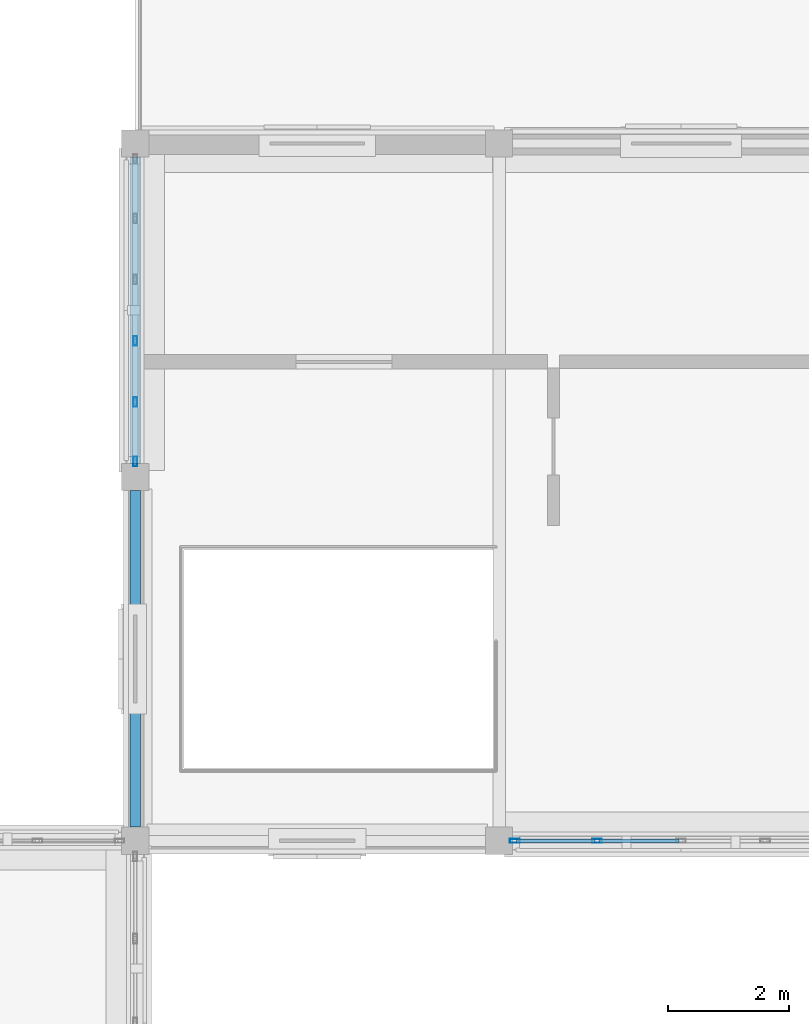
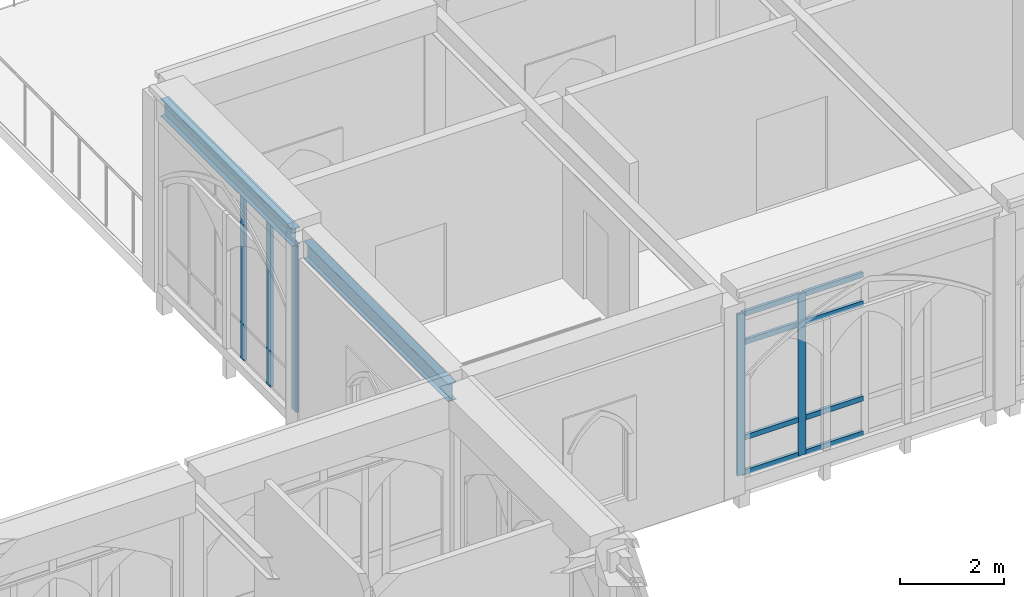
# One storey, part 10 of 59: 13 members, 2 beams, 2 elements without a shape of their own.
"""IFC4 building model written with IfcOpenShell, lengths in metres."""

import ifcopenshell
import ifcopenshell.guid

model = None  # the IFC model being written
_history = None  # IfcOwnerHistory: only IFC2X3 demands one
_inside = {}  # id of a spatial element -> (the spatial element, [elements in it])
_under = {}  # id of a project, library or spatial element -> (it, [spatial elements below it])
_declared = {}  # id of a project -> (the project, [libraries it declares])
_typed = {}  # id of a type object -> (the type object, [elements of that type])
_made_of = {}  # id of a material, layer set ... -> (it, [elements and type objects made of it])


def new_model(schema):
    """Start an empty IFC model of exactly this schema.

    Asked for "IFC4X3", IfcOpenShell would pick the latest addendum, in which some entities
    have other attributes; the version numbers below select the first issue.
    IFC2X3 requires an IfcOwnerHistory on every rooted entity: one is made here for all.
    """
    global model, _history
    if schema == "IFC4X3":
        model = ifcopenshell.file(schema_version=(4, 3, 0, 0))
    else:
        model = ifcopenshell.file(schema=schema)
    _inside.clear()
    _under.clear()
    _declared.clear()
    _typed.clear()
    _made_of.clear()
    _history = None
    if model.schema == "IFC2X3":
        org = make("IfcOrganization", Name="unknown")
        user = make(
            "IfcPersonAndOrganization",
            ThePerson=make("IfcPerson", FamilyName="unknown"),
            TheOrganization=org,
        )
        app = make(
            "IfcApplication",
            ApplicationDeveloper=org,
            Version="unknown",
            ApplicationFullName="unknown",
            ApplicationIdentifier="unknown",
        )
        _history = make(
            "IfcOwnerHistory",
            OwningUser=user,
            OwningApplication=app,
            ChangeAction="ADDED",
            CreationDate=0,
        )
    return model


def make(cls, **values):
    """One entity of the class cls with the attributes given. An attribute that is None is left unset."""
    return model.create_entity(
        cls, **{name: value for name, value in values.items() if value is not None}
    )


def rooted(cls, **values):
    """An entity with a GlobalId (a new one), such as an element, a storey or a relation."""
    return make(cls, GlobalId=ifcopenshell.guid.new(), OwnerHistory=_history, **values)


def si_unit(unit_type, name, prefix=None):
    """IfcSIUnit, for example si_unit("LENGTHUNIT", "METRE", prefix="MILLI")."""
    return make("IfcSIUnit", UnitType=unit_type, Prefix=prefix, Name=name)


def assignment(units):
    """IfcUnitAssignment: the units of a project."""
    return None if units is None else make("IfcUnitAssignment", Units=units)


def point(xyz):
    """IfcCartesianPoint."""
    return None if xyz is None else make("IfcCartesianPoint", Coordinates=xyz)


def direction(xyz):
    """IfcDirection."""
    return None if xyz is None else make("IfcDirection", DirectionRatios=xyz)


def frame(location, z_axis=None, x_axis=None):
    """IfcAxis2Placement3D, a coordinate frame: its origin and axes. An axis left out is left unset."""
    return make(
        "IfcAxis2Placement3D",
        Location=point(location),
        Axis=direction(z_axis),
        RefDirection=direction(x_axis),
    )


def frame_2d(location, x_axis=None):
    """IfcAxis2Placement2D, a coordinate frame in the plane: its origin and x axis."""
    return make(
        "IfcAxis2Placement2D", Location=point(location), RefDirection=direction(x_axis)
    )


def origin():
    """The frame at (0, 0, 0) with its axes left unset."""
    return frame((0.0, 0.0, 0.0))


def origin_2d():
    """The frame at (0, 0) in the plane with its x axis left unset."""
    return frame_2d((0.0, 0.0))


def place(relative_to, where):
    """IfcLocalPlacement: puts the frame where relative to a parent placement (None: the world)."""
    return make(
        "IfcLocalPlacement", PlacementRelTo=relative_to, RelativePlacement=where
    )


def context(
    kind, dimensions, precision=None, world=None, true_north=None, identifier=None
):
    """IfcGeometricRepresentationContext, for example the 3D "Model" context."""
    return make(
        "IfcGeometricRepresentationContext",
        ContextIdentifier=identifier,
        ContextType=kind,
        CoordinateSpaceDimension=dimensions,
        Precision=precision,
        WorldCoordinateSystem=world,
        TrueNorth=true_north,
    )


def subcontext(parent, identifier, kind, view, scale=None):
    """IfcGeometricRepresentationSubContext, for example "Body" below "Model"."""
    return make(
        "IfcGeometricRepresentationSubContext",
        ContextIdentifier=identifier,
        ContextType=kind,
        ParentContext=parent,
        TargetScale=scale,
        TargetView=view,
    )


def project(units=None, contexts=None):
    """IfcProject with its units and contexts."""
    return rooted(
        "IfcProject",
        Name="project",
        RepresentationContexts=contexts,
        UnitsInContext=assignment(units),
    )


def spatial(cls, under=None, at=None, **own):
    """A site, building, storey or space (cls), placed at a placement, below another one or the project."""
    s = rooted(cls, ObjectPlacement=at, **own)
    if under is not None:
        _under.setdefault(under.id(), (under, []))[1].append(s)
    return s


def profile(cls, at=None, kind="AREA", **sizes):
    """A parametric profile (cls). Its sizes go by their IFC names, for example OverallWidth=200.0."""
    return make(cls, ProfileType=kind, Position=at, **sizes)


def hollow_rectangle(**sizes):
    """IfcRectangleHollowProfileDef."""
    return profile("IfcRectangleHollowProfileDef", **sizes)


def i_section(**sizes):
    """IfcIShapeProfileDef."""
    return profile("IfcIShapeProfileDef", **sizes)


def extrude(swept, where, along, depth):
    """IfcExtrudedAreaSolid: the profile swept, set in the frame where, extruded along a direction by depth."""
    return make(
        "IfcExtrudedAreaSolid",
        SweptArea=swept,
        Position=where,
        ExtrudedDirection=direction(along),
        Depth=depth,
    )


def shape(context_of_items, identifier, shape_type, items):
    """IfcShapeRepresentation: the items that make up one representation, for example the "Body"."""
    return make(
        "IfcShapeRepresentation",
        ContextOfItems=context_of_items,
        RepresentationIdentifier=identifier,
        RepresentationType=shape_type,
        Items=items,
    )


def material(Name=None, Category=None):
    """IfcMaterial."""
    return make("IfcMaterial", Name=Name, Category=Category)


def layer(
    of_material, thickness, ventilated=None, Name=None, Category=None, Priority=None
):
    """IfcMaterialLayer: one layer of a wall or slab, of a material (None: an air gap)."""
    return make(
        "IfcMaterialLayer",
        Material=of_material,
        LayerThickness=thickness,
        IsVentilated=ventilated,
        Name=Name,
        Category=Category,
        Priority=Priority,
    )


def layer_set(layers, Name=None):
    """IfcMaterialLayerSet."""
    return make("IfcMaterialLayerSet", MaterialLayers=layers, LayerSetName=Name)


def material_profile(
    of_material, cross_section, Name=None, Category=None, Priority=None
):
    """IfcMaterialProfile: a cross section and its material."""
    return make(
        "IfcMaterialProfile",
        Name=Name,
        Material=of_material,
        Profile=cross_section,
        Priority=Priority,
        Category=Category,
    )


def profile_set(profiles, Name=None, composite=None):
    """IfcMaterialProfileSet."""
    return make(
        "IfcMaterialProfileSet",
        Name=Name,
        MaterialProfiles=profiles,
        CompositeProfile=composite,
    )


def made_of(thing, what):
    """Note that an element or type object is made of a material, layer set ...; save() writes the relation."""
    if what is not None:
        _made_of.setdefault(what.id(), (what, []))[1].append(thing)
    return thing


def type_object(cls, material=None, **own):
    """A type object (cls), such as IfcWallType, which elements share."""
    return made_of(rooted(cls, **own), material)


def element(
    cls,
    number,
    at=None,
    inside=None,
    cuts=None,
    type_object=None,
    material=None,
    context=None,
    identifier="Body",
    shape_type=None,
    held_by="IfcProductDefinitionShape",
    body=None,
    shapes=None,
    **own,
):
    """One element of the class cls, such as IfcWall. Its Tag is "e" and its number.

    at: its placement. inside: the storey or other place that contains it. cuts: it is an
    opening in that element (IfcRelVoidsElement). A single representation is given by context,
    identifier, shape_type and body (its items); several are given by shapes. held_by: the class
    of the entity that holds the representations. save() writes the other relations.
    """
    e = rooted(cls, Tag="e%d" % number, ObjectPlacement=at, **own)
    if body is not None:
        shapes = [shape(context, identifier, shape_type, body)]
    if shapes is not None:
        e.Representation = make(held_by, Representations=shapes)
    if inside is not None:
        _inside.setdefault(inside.id(), (inside, []))[1].append(e)
    if cuts is not None:
        rooted(
            "IfcRelVoidsElement", RelatingBuildingElement=cuts, RelatedOpeningElement=e
        )
    if type_object is not None:
        _typed.setdefault(type_object.id(), (type_object, []))[1].append(e)
    return made_of(e, material)


def aggregate(whole, parts):
    """IfcRelAggregates: a whole, such as a stair, and the parts it consists of."""
    return rooted("IfcRelAggregates", RelatingObject=whole, RelatedObjects=parts)


def save(model, path):
    """Write the relations noted so far, then the file.

    IfcRelAggregates (storeys below a building ...), IfcRelContainedInSpatialStructure (elements
    in a storey), IfcRelDefinesByType, IfcRelAssociatesMaterial and IfcRelDeclares: one each for
    every whole, place, type object, material and project.
    """
    for whole, parts in _under.values():
        aggregate(whole, parts)
    for where, things in _inside.values():
        rooted(
            "IfcRelContainedInSpatialStructure",
            RelatedElements=things,
            RelatingStructure=where,
        )
    for kind, things in _typed.values():
        rooted("IfcRelDefinesByType", RelatedObjects=things, RelatingType=kind)
    for what, things in _made_of.values():
        rooted("IfcRelAssociatesMaterial", RelatedObjects=things, RelatingMaterial=what)
    for by, libraries in _declared.values():
        rooted("IfcRelDeclares", RelatingContext=by, RelatedDefinitions=libraries)
    model.write(path)


model = new_model("IFC4")

# Units and contexts
model_context = context("Model", 3, precision=1e-05, world=origin(), true_north=direction((0.0, 1.0)))
body_context = subcontext(model_context, "Body", "Model", "MODEL_VIEW")
ifc_project = project(units=[si_unit("LENGTHUNIT", "METRE"), si_unit("AREAUNIT", "SQUARE_METRE"), si_unit("VOLUMEUNIT", "CUBIC_METRE"), si_unit("PLANEANGLEUNIT", "RADIAN"), si_unit("MASSUNIT", "GRAM", prefix="KILO")], contexts=[model_context])

# Site, building, storey
site_placement = place(None, origin())
site = spatial("IfcSite", under=ifc_project, at=site_placement, CompositionType="ELEMENT")
building_placement = place(site_placement, origin())
building = spatial("IfcBuilding", under=site, at=building_placement, Name="Cumevento Cable Car Station", CompositionType="ELEMENT")
storey_placement = place(building_placement, frame((0.0, 0.0, 18.0)))
storey = spatial("IfcBuildingStorey", under=building, at=storey_placement, Name="L05", CompositionType="ELEMENT", Elevation=18.0)

# Curtain wall, members
ifc_material_1 = material(Name="Anodised Bronze Aluminium AW-6063-T6", Category="aluminium")
ifc_layer_1 = layer(ifc_material_1, 0.22607421875)
ifc_layer_set_1 = layer_set([ifc_layer_1], Name="Anodised Bronze Aluminium AW-6063-T6")
curtain_wall_type_1 = type_object("IfcCurtainWallType", Name="Lancet Curtain Wall CW-12 1490", PredefinedType="NOTDEFINED", material=ifc_layer_set_1)
curtain_wall_1_placement = place(storey_placement, origin())
curtain_wall_1 = element("IfcCurtainWall", 1, at=curtain_wall_1_placement, inside=storey, type_object=curtain_wall_type_1, Name="Lancet Curtain Wall CW-12 L05 #203", PredefinedType="NOTDEFINED")
ifc_material_2 = material(Name="Anodised Bronze Aluminium AW-6063-T6", Category="aluminium")
ifc_material_profile_1 = material_profile(ifc_material_2, hollow_rectangle(XDim=0.06494140625, YDim=0.159912109375, WallThickness=0.00390625, at=origin_2d()), Name="ALUM65x160x4")
ifc_profile_set_1 = profile_set([ifc_material_profile_1], Name="Anodised Bronze Aluminium AW-6063-T6")
member_type_1 = type_object("IfcMemberType", Name="Curtain Mullion CWM-01 ALUM65x160x4", PredefinedType="MULLION", material=ifc_profile_set_1)
member_1_placement = place(storey_placement, frame((29.612548828125, 45.0, 0.31005859375), z_axis=(0.0, 0.0, 1.0), x_axis=(0.0, -1.0, 0.0)))
member_1 = element("IfcMember", 2, at=member_1_placement, type_object=member_type_1, Name="CW-12 mullion 4", PredefinedType="MULLION", context=body_context, shape_type="SweptSolid", body=[
    extrude(hollow_rectangle(XDim=0.06494140625, YDim=0.159912109375, WallThickness=0.00390625, at=origin_2d()), origin(), (0.0, 0.0, 1.0), 3.782958984375),
])
member_2_placement = place(storey_placement, frame((28.257568359375, 45.0, 0.31005859375), z_axis=(0.0, 0.0, 1.0), x_axis=(0.0, -1.0, 0.0)))
member_2 = element("IfcMember", 3, at=member_2_placement, type_object=member_type_1, Name="CW-12 mullion 5", PredefinedType="MULLION", context=body_context, shape_type="SweptSolid", body=[
    extrude(hollow_rectangle(XDim=0.06494140625, YDim=0.159912109375, WallThickness=0.00390625, at=origin_2d()), origin(), (0.0, 0.0, 1.0), 3.782958984375),
])

ifc_material_3 = material(Name="Anodised Bronze Aluminium AW-6063-T6", Category="aluminium")
ifc_layer_2 = layer(ifc_material_3, 0.166015625)
ifc_layer_set_2 = layer_set([ifc_layer_2], Name="Anodised Bronze Aluminium AW-6063-T6")
curtain_wall_type_2 = type_object("IfcCurtainWallType", Name="Lancet Curtain Wall CW-02 1090", PredefinedType="NOTDEFINED", material=ifc_layer_set_2)
curtain_wall_2_placement = place(storey_placement, origin())
curtain_wall_2 = element("IfcCurtainWall", 4, at=curtain_wall_2_placement, inside=storey, type_object=curtain_wall_type_2, Name="Lancet Curtain Wall CW-02 L05 #209", PredefinedType="NOTDEFINED")
member_3_placement = place(storey_placement, frame((22.0, 51.257568359375, 0.2099609375), z_axis=(0.0, 0.0, 1.0), x_axis=(-1.0, 0.0, 0.0)))
member_3 = element("IfcMember", 5, at=member_3_placement, type_object=member_type_1, Name="CW-02 mullion 1", PredefinedType="MULLION", context=body_context, shape_type="SweptSolid", body=[
    extrude(hollow_rectangle(XDim=0.06494140625, YDim=0.159912109375, WallThickness=0.00390625, at=origin_2d()), origin(), (0.0, 0.0, 1.0), 3.883056640625),
])
member_4_placement = place(storey_placement, frame((22.0, 52.235107421875, 0.2099609375), z_axis=(0.0, 0.0, 1.0), x_axis=(-1.0, 0.0, 0.0)))
member_4 = element("IfcMember", 6, at=member_4_placement, type_object=member_type_1, Name="CW-02 mullion 2", PredefinedType="MULLION", context=body_context, shape_type="SweptSolid", body=[
    extrude(hollow_rectangle(XDim=0.06494140625, YDim=0.159912109375, WallThickness=0.00390625, at=origin_2d()), origin(), (0.0, 0.0, 1.0), 3.883056640625),
])
member_5_placement = place(storey_placement, frame((22.0, 53.2451171875, 0.2099609375), z_axis=(0.0, 0.0, 1.0), x_axis=(-1.0, 0.0, 0.0)))
member_5 = element("IfcMember", 7, at=member_5_placement, type_object=member_type_1, Name="CW-02 mullion 3", PredefinedType="MULLION", context=body_context, shape_type="SweptSolid", body=[
    extrude(hollow_rectangle(XDim=0.06494140625, YDim=0.159912109375, WallThickness=0.00390625, at=origin_2d()), origin(), (0.0, 0.0, 1.0), 3.883056640625),
])
aggregate(curtain_wall_2, [member_3, member_4, member_5])

# Member
ifc_material_4 = material(Name="Anodised Bronze Aluminium AW-6063-T6", Category="aluminium")
ifc_material_profile_2 = material_profile(ifc_material_4, hollow_rectangle(XDim=0.06494140625, YDim=0.1201171875, WallThickness=0.00390625, at=origin_2d()), Name="ALUT65x120x4")
ifc_profile_set_2 = profile_set([ifc_material_profile_2], Name="Anodised Bronze Aluminium AW-6063-T6")
member_type_2 = type_object("IfcMemberType", Name="Curtain Transom CWT-01 ALUT65x120x4", PredefinedType="USERDEFINED", material=ifc_profile_set_2)
member_6_placement = place(storey_placement, frame((30.967529296875, 45.0, 0.342529296875), z_axis=(-1.0, 0.0, 0.0), x_axis=(0.0, -1.0, 0.0)))
member_6 = element("IfcMember", 8, at=member_6_placement, type_object=member_type_2, Name="CW-12 transom 3.1", ObjectType="TRANSOM", PredefinedType="USERDEFINED", context=body_context, shape_type="SweptSolid", body=[
    extrude(hollow_rectangle(XDim=0.06494140625, YDim=0.1201171875, WallThickness=0.00390625, at=origin_2d()), origin(), (0.0, 0.0, 1.0), 1.322509765625),
])

member_7_placement = place(storey_placement, frame((30.967529296875, 45.0, 1.159912109375), z_axis=(-1.0, 0.0, 0.0), x_axis=(0.0, -1.0, 0.0)))
member_7 = element("IfcMember", 9, at=member_7_placement, type_object=member_type_2, Name="CW-12 transom 3.2", ObjectType="TRANSOM", PredefinedType="USERDEFINED", context=body_context, shape_type="SweptSolid", body=[
    extrude(hollow_rectangle(XDim=0.06494140625, YDim=0.1201171875, WallThickness=0.00390625, at=origin_2d()), origin(), (0.0, 0.0, 1.0), 1.322509765625),
])

member_8_placement = place(storey_placement, frame((30.967529296875, 45.0, 3.39306640625), z_axis=(-1.0, 0.0, 0.0), x_axis=(0.0, -1.0, 0.0)))
member_8 = element("IfcMember", 10, at=member_8_placement, type_object=member_type_2, Name="CW-12 transom 3.3", ObjectType="TRANSOM", PredefinedType="USERDEFINED", context=body_context, shape_type="SweptSolid", body=[
    extrude(hollow_rectangle(XDim=0.06494140625, YDim=0.1201171875, WallThickness=0.00390625, at=origin_2d()), origin(), (0.0, 0.0, 1.0), 1.322509765625),
])

member_9_placement = place(storey_placement, frame((30.967529296875, 45.0, 4.060546875), z_axis=(-1.0, 0.0, 0.0), x_axis=(0.0, -1.0, 0.0)))
member_9 = element("IfcMember", 11, at=member_9_placement, type_object=member_type_2, Name="CW-12 transom 3.4", ObjectType="TRANSOM", PredefinedType="USERDEFINED", context=body_context, shape_type="SweptSolid", body=[
    extrude(hollow_rectangle(XDim=0.06494140625, YDim=0.1201171875, WallThickness=0.00390625, at=origin_2d()), origin(), (0.0, 0.0, 1.0), 1.322509765625),
])

member_10_placement = place(storey_placement, frame((29.580078125, 45.0, 0.342529296875), z_axis=(-1.0, 0.0, 0.0), x_axis=(0.0, -1.0, 0.0)))
member_10 = element("IfcMember", 12, at=member_10_placement, type_object=member_type_2, Name="CW-12 transom 4.1", ObjectType="TRANSOM", PredefinedType="USERDEFINED", context=body_context, shape_type="SweptSolid", body=[
    extrude(hollow_rectangle(XDim=0.06494140625, YDim=0.1201171875, WallThickness=0.00390625, at=origin_2d()), origin(), (0.0, 0.0, 1.0), 1.2900390625),
])

member_11_placement = place(storey_placement, frame((29.580078125, 45.0, 1.159912109375), z_axis=(-1.0, 0.0, 0.0), x_axis=(0.0, -1.0, 0.0)))
member_11 = element("IfcMember", 13, at=member_11_placement, type_object=member_type_2, Name="CW-12 transom 4.2", ObjectType="TRANSOM", PredefinedType="USERDEFINED", context=body_context, shape_type="SweptSolid", body=[
    extrude(hollow_rectangle(XDim=0.06494140625, YDim=0.1201171875, WallThickness=0.00390625, at=origin_2d()), origin(), (0.0, 0.0, 1.0), 1.2900390625),
])

member_12_placement = place(storey_placement, frame((29.580078125, 45.0, 3.39306640625), z_axis=(-1.0, 0.0, 0.0), x_axis=(0.0, -1.0, 0.0)))
member_12 = element("IfcMember", 14, at=member_12_placement, type_object=member_type_2, Name="CW-12 transom 4.3", ObjectType="TRANSOM", PredefinedType="USERDEFINED", context=body_context, shape_type="SweptSolid", body=[
    extrude(hollow_rectangle(XDim=0.06494140625, YDim=0.1201171875, WallThickness=0.00390625, at=origin_2d()), origin(), (0.0, 0.0, 1.0), 1.2900390625),
])

member_13_placement = place(storey_placement, frame((29.580078125, 45.0, 4.060546875), z_axis=(-1.0, 0.0, 0.0), x_axis=(0.0, -1.0, 0.0)))
member_13 = element("IfcMember", 15, at=member_13_placement, type_object=member_type_2, Name="CW-12 transom 4.4", ObjectType="TRANSOM", PredefinedType="USERDEFINED", context=body_context, shape_type="SweptSolid", body=[
    extrude(hollow_rectangle(XDim=0.06494140625, YDim=0.1201171875, WallThickness=0.00390625, at=origin_2d()), origin(), (0.0, 0.0, 1.0), 1.2900390625),
])

aggregate(curtain_wall_1, [member_1, member_2, member_6, member_7, member_8, member_9, member_10, member_11, member_12, member_13])

# Beams
ifc_material_5 = material(Name="Steel ASTM A572 Grade 50", Category="steel")
ifc_material_profile_3 = material_profile(ifc_material_5, i_section(OverallWidth=0.177978515625, OverallDepth=0.406982421875, WebThickness=0.0078125, FlangeThickness=0.0126953125, at=origin_2d()), Name="W410x60.0")
ifc_profile_set_3 = profile_set([ifc_material_profile_3], Name="Steel ASTM A572 Grade 50")
beam_type = type_object("IfcBeamType", Name="Structural Spandrel SP-01 W410x60.0", PredefinedType="SPANDREL", material=ifc_profile_set_3)
beam_1_placement = place(storey_placement, frame((22.0, 45.22509765625, 4.29638671875), z_axis=(0.0, 1.0, 0.0), x_axis=(-1.0, 0.0, 0.0)))
element("IfcBeam", 16, at=beam_1_placement, inside=storey, type_object=beam_type, Name="Beam SP-01 L05 #1600", PredefinedType="SPANDREL", context=body_context, shape_type="SweptSolid", body=[
    extrude(i_section(OverallWidth=0.177978515625, OverallDepth=0.406982421875, WebThickness=0.0078125, FlangeThickness=0.0126953125, at=origin_2d()), origin(), (0.0, 0.0, 1.0), 5.5498046875),
])
beam_2_placement = place(storey_placement, frame((22.0, 51.22509765625, 4.29638671875), z_axis=(0.0, 1.0, 0.0), x_axis=(-1.0, 0.0, 0.0)))
element("IfcBeam", 17, at=beam_2_placement, inside=storey, type_object=beam_type, Name="Beam SP-01 L05 #1601", PredefinedType="SPANDREL", context=body_context, shape_type="SweptSolid", body=[
    extrude(i_section(OverallWidth=0.177978515625, OverallDepth=0.406982421875, WebThickness=0.0078125, FlangeThickness=0.0126953125, at=origin_2d()), origin(), (0.0, 0.0, 1.0), 5.0498046875),
])

save(model, "model.ifc")
